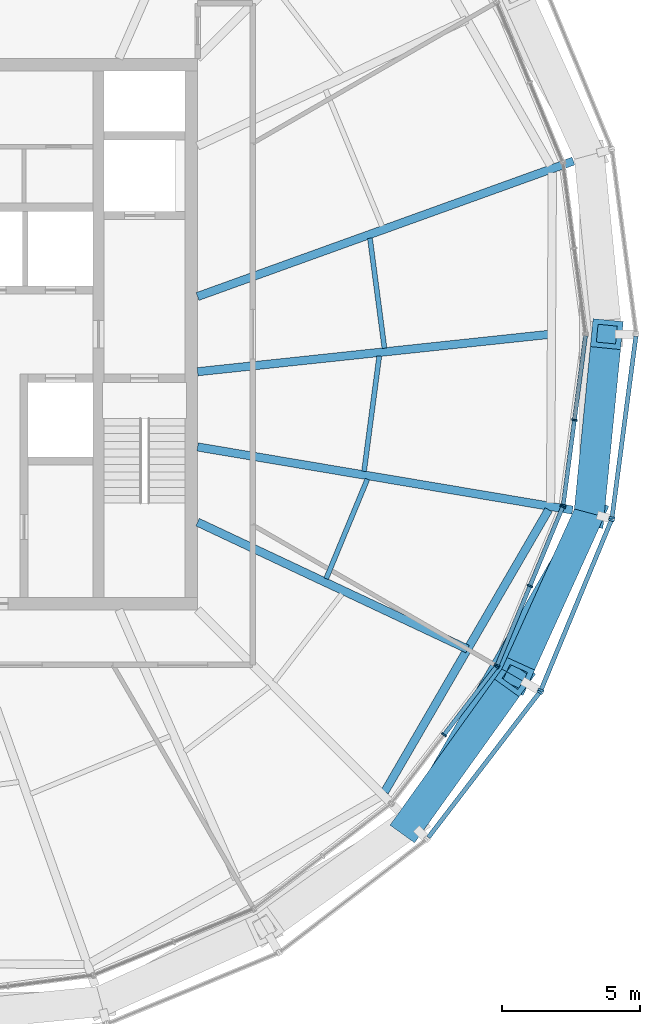
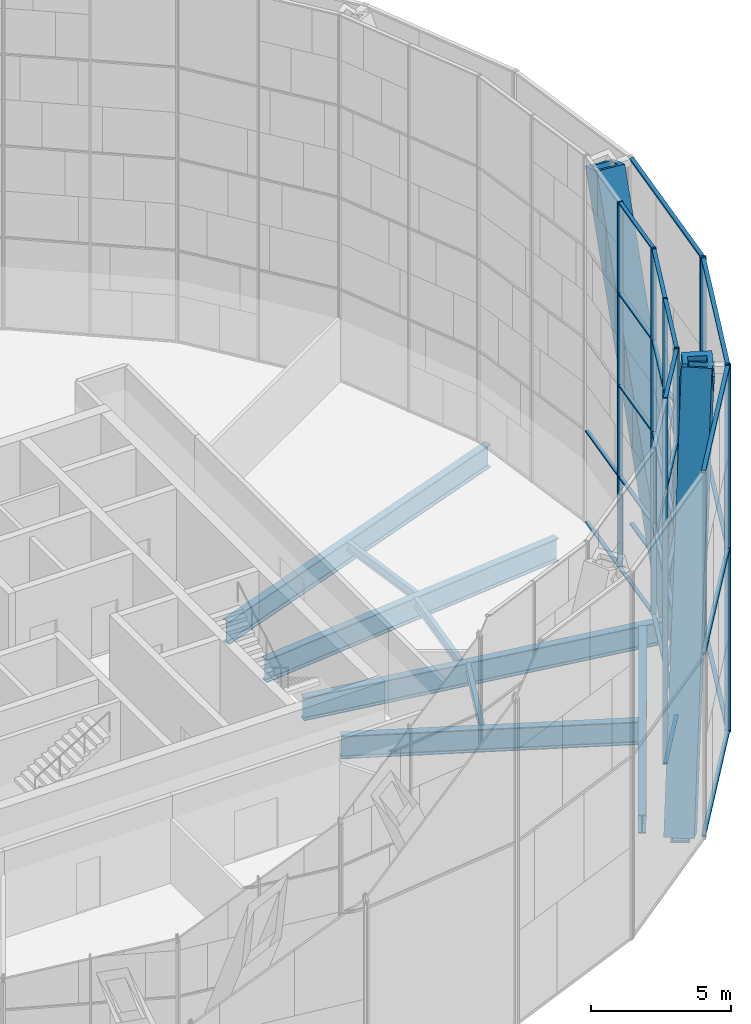
# One storey, part 6 of 30: 45 members, 9 beams, 6 elements without a shape of their own.
"""IFC4 building model written with IfcOpenShell, lengths in metres."""

from ifc_helpers import new_model, si_unit, direction, frame, origin, origin_2d, place, context, subcontext, project, spatial, rectangle, hollow_rectangle, i_section, extrude, material, material_profile, profile_set, type_object, element, aggregate, save


model = new_model("IFC4")

# Units and contexts
model_context = context("Model", 3, precision=1e-05, world=origin(), true_north=direction((0.0, 1.0)))
body_context = subcontext(model_context, "Body", "Model", "MODEL_VIEW")
ifc_project = project(units=[si_unit("LENGTHUNIT", "METRE"), si_unit("AREAUNIT", "SQUARE_METRE"), si_unit("VOLUMEUNIT", "CUBIC_METRE"), si_unit("PLANEANGLEUNIT", "RADIAN"), si_unit("MASSUNIT", "GRAM", prefix="KILO")], contexts=[model_context])

# Site, building, storey
site_placement = place(None, origin())
site = spatial("IfcSite", under=ifc_project, at=site_placement, CompositionType="ELEMENT")
building_placement = place(site_placement, origin())
building = spatial("IfcBuilding", under=site, at=building_placement, Name="Golbaran Civic Tower", CompositionType="ELEMENT")
storey_placement = place(building_placement, frame((0.0, 0.0, 167.0)))
storey = spatial("IfcBuildingStorey", under=building, at=storey_placement, Name="L40", CompositionType="ELEMENT", Elevation=167.0)

# Members
ifc_material_1 = material(Name="Steel S355", Category="steel")
ifc_material_profile_1 = material_profile(ifc_material_1, hollow_rectangle(XDim=1.10009765625, YDim=1.10009765625, WallThickness=0.199951171875, at=origin_2d()), Name="BOX 1100x1100x200")
ifc_profile_set_1 = profile_set([ifc_material_profile_1], Name="Steel S355")
member_type_1 = type_object("IfcMemberType", Name="DIAGRID DIAGONAL BOX 1100x1100x200", PredefinedType="BRACE", material=ifc_profile_set_1)
member_1_placement = place(storey_placement, frame((17.72216796875, -17.72216796875, -0.7099609375), z_axis=(0.21971220084, 0.306689856884, 0.926103601379), x_axis=(-0.812920273386, 0.582374990121, 0.0)))
element("IfcMember", 1, at=member_1_placement, inside=storey, type_object=member_type_1, Name="Diagonal D09-10R L40-L44", PredefinedType="BRACE", context=body_context, shape_type="SweptSolid", body=[
    extrude(hollow_rectangle(XDim=1.10009765625, YDim=1.10009765625, WallThickness=0.199951171875, at=origin_2d()), origin(), (0.0, 0.0, 1.0), 17.276611328125),
])
for number, where, z_axis, x_axis, name in (
    (2, (24.208984375, -6.48681640625, -0.7099609375), (0.036924758011, 0.375465296726, 0.92610062801), (-0.995199025812, 0.097871849998, 0.0), "Diagonal D09-11R L40-L44"),
    (3, (24.208984375, -6.48681640625, -0.7099609375), (-0.155753672162, -0.343627476497, 0.926099860169), (0.910805936997, -0.412834767347, 0.0), "Diagonal D09-11L L40-L44"),
):
    element("IfcMember", number, at=place(storey_placement, frame(where, z_axis=z_axis, x_axis=x_axis)), inside=storey, type_object=member_type_1, Name=name, PredefinedType="BRACE", context=body_context, shape_type="SweptSolid", body=[
        extrude(hollow_rectangle(XDim=1.10009765625, YDim=1.10009765625, WallThickness=0.199951171875, at=origin_2d()), origin(), (0.0, 0.0, 1.0), 17.27685546875),
    ])

# Beams
ifc_material_profile_2 = material_profile(ifc_material_1, hollow_rectangle(XDim=0.699951171875, YDim=0.699951171875, WallThickness=0.080078125, at=origin_2d()), Name="BOX 700x700x80")
ifc_profile_set_2 = profile_set([ifc_material_profile_2], Name="Steel S355")
beam_type_1 = type_object("IfcBeamType", Name="DIAGRID RING TIE BOX 700x700x80", PredefinedType="BEAM", material=ifc_profile_set_2)
beam_1_placement = place(storey_placement, frame((17.72216796875, -17.72216796875, -0.7099609375), z_axis=(0.50000480732, 0.866022628259, 0.0), x_axis=(-0.866022628259, 0.50000480732, 0.0)))
element("IfcBeam", 4, at=beam_1_placement, inside=storey, type_object=beam_type_1, Name="Ring tie 315.00 L40", PredefinedType="BEAM", context=body_context, shape_type="SweptSolid", body=[
    extrude(hollow_rectangle(XDim=0.699951171875, YDim=0.699951171875, WallThickness=0.080078125, at=origin_2d()), origin(), (0.0, 0.0, 1.0), 12.973388671875),
])
ifc_material_profile_3 = material_profile(ifc_material_1, i_section(OverallWidth=0.300048828125, OverallDepth=0.800048828125, WebThickness=0.017578125, FlangeThickness=0.032958984375, FilletRadius=0.030029296875, at=origin_2d()), Name="HEB 800")
ifc_profile_set_3 = profile_set([ifc_material_profile_3], Name="Steel S355")
beam_type_2 = type_object("IfcBeamType", Name="EDGE BEAM HEB 800", PredefinedType="BEAM", material=ifc_profile_set_3)
beam_2_placement = place(storey_placement, frame((16.78857421875, -16.604736328125, -0.60009765625), z_axis=(0.502449452152, 0.864606585698, 0.0), x_axis=(-0.864606585698, 0.502449452152, 0.0)))
element("IfcBeam", 5, at=beam_2_placement, inside=storey, type_object=beam_type_2, Name="Edge beam 315.00 L40", PredefinedType="BEAM", context=body_context, shape_type="SweptSolid", body=[
    extrude(i_section(OverallWidth=0.300048828125, OverallDepth=0.800048828125, WebThickness=0.017578125, FlangeThickness=0.032958984375, FilletRadius=0.030029296875, at=origin_2d()), origin(), (0.0, 0.0, 1.0), 11.8369140625),
])
ifc_material_profile_4 = material_profile(ifc_material_1, i_section(OverallWidth=0.179931640625, OverallDepth=0.39990234375, WebThickness=0.008544921875, FlangeThickness=0.013427734375, FilletRadius=0.02099609375, at=origin_2d()), Name="IPE 400")
ifc_profile_set_4 = profile_set([ifc_material_profile_4], Name="Steel S355")
beam_type_3 = type_object("IfcBeamType", Name="FLOOR INFILL BEAM IPE 400", PredefinedType="BEAM", material=ifc_profile_set_4)
beam_3_placement = place(storey_placement, frame((16.7802734375, -0.51318359375, -0.39990234375), z_axis=(-0.130536029441, 0.991443566229, 0.0), x_axis=(-0.991443566229, -0.130536029441, 0.0)))
element("IfcBeam", 6, at=beam_3_placement, inside=storey, type_object=beam_type_3, Name="Infill beam 7.50 L40", PredefinedType="BEAM", context=body_context, shape_type="SweptSolid", body=[
    extrude(i_section(OverallWidth=0.179931640625, OverallDepth=0.39990234375, WebThickness=0.008544921875, FlangeThickness=0.013427734375, FilletRadius=0.02099609375, at=origin_2d()), origin(), (0.0, 0.0, 1.0), 4.028564453125),
])
beam_4_placement = place(storey_placement, frame((14.665283203125, -8.872314453125, -0.39990234375), z_axis=(0.382675564136, 0.923882791599, 0.0), x_axis=(-0.923882791599, 0.382675564136, 0.0)))
element("IfcBeam", 7, at=beam_4_placement, inside=storey, type_object=beam_type_3, Name="Infill beam 337.50 L40", PredefinedType="BEAM", context=body_context, shape_type="SweptSolid", body=[
    extrude(i_section(OverallWidth=0.179931640625, OverallDepth=0.39990234375, WebThickness=0.008544921875, FlangeThickness=0.013427734375, FilletRadius=0.02099609375, at=origin_2d()), origin(), (0.0, 0.0, 1.0), 3.906982421875),
])
beam_5_placement = place(storey_placement, frame((16.040771484375, -4.978759765625, -0.39990234375), z_axis=(0.130511378619, 0.991446811509, 0.0), x_axis=(-0.991446811509, 0.130511378619, 0.0)))
element("IfcBeam", 8, at=beam_5_placement, inside=storey, type_object=beam_type_3, Name="Infill beam 352.50 L40", PredefinedType="BEAM", context=body_context, shape_type="SweptSolid", body=[
    extrude(i_section(OverallWidth=0.179931640625, OverallDepth=0.39990234375, WebThickness=0.008544921875, FlangeThickness=0.013427734375, FilletRadius=0.02099609375, at=origin_2d()), origin(), (0.0, 0.0, 1.0), 4.22021484375),
])

# Curtain wall, members
ifc_material_2 = material(Name="Aluminium and glass", Category="aluminium")
curtain_wall_type_1 = type_object("IfcCurtainWallType", Name="INNER SKIN CURTAIN WALL EXECUTIVE", PredefinedType="NOTDEFINED", material=ifc_material_2)
curtain_wall_1_placement = place(storey_placement, origin())
curtain_wall_1 = element("IfcCurtainWall", 9, at=curtain_wall_1_placement, inside=storey, type_object=curtain_wall_type_1, Name="Inner skin L40 facet 22 CW2", ObjectType="INNER SKIN", PredefinedType="USERDEFINED")
ifc_material_3 = material(Name="Aluminium", Category="aluminium")
ifc_material_profile_5 = material_profile(ifc_material_3, rectangle(XDim=0.199951171875, YDim=0.06005859375, at=origin_2d()), Name="INNER SKIN CURTAIN WALL EXECUTIVE MULLION")
ifc_profile_set_5 = profile_set([ifc_material_profile_5], Name="Aluminium")
member_type_2 = type_object("IfcMemberType", Name="INNER SKIN CURTAIN WALL EXECUTIVE MULLION", PredefinedType="MULLION", material=ifc_profile_set_5)
member_2_placement = place(storey_placement, frame((18.94287109375, -14.535400390625, 0.0), z_axis=(0.0, 0.0, 1.0), x_axis=(-0.79335334027, 0.608761429036, 0.0)))
member_2 = element("IfcMember", 10, at=member_2_placement, type_object=member_type_2, Name="CW2 mullion 2", PredefinedType="MULLION", context=body_context, shape_type="SweptSolid", body=[
    extrude(rectangle(XDim=0.199951171875, YDim=0.06005859375, at=origin_2d()), origin(), (0.0, 0.0, 1.0), 16.0),
])
member_3_placement = place(storey_placement, frame((20.838134765625, -12.065185546875, 0.0), z_axis=(0.0, 0.0, 1.0), x_axis=(-0.79335334027, 0.608761429036, 0.0)))
member_3 = element("IfcMember", 11, at=member_3_placement, type_object=member_type_2, Name="CW2 mullion 3", PredefinedType="MULLION", context=body_context, shape_type="SweptSolid", body=[
    extrude(rectangle(XDim=0.199951171875, YDim=0.06005859375, at=origin_2d()), origin(), (0.0, 0.0, 1.0), 16.0),
])

curtain_wall_2_placement = place(storey_placement, origin())
curtain_wall_2 = element("IfcCurtainWall", 12, at=curtain_wall_2_placement, inside=storey, type_object=curtain_wall_type_1, Name="Inner skin L40 facet 23 CW2", ObjectType="INNER SKIN", PredefinedType="USERDEFINED")
member_4_placement = place(storey_placement, frame((20.867919921875, -12.013671875, 0.0), z_axis=(0.0, 0.0, 1.0), x_axis=(-0.923879532471, 0.382683432462, 0.0)))
member_4 = element("IfcMember", 13, at=member_4_placement, type_object=member_type_2, Name="CW2 mullion 1", PredefinedType="MULLION", context=body_context, shape_type="SweptSolid", body=[
    extrude(rectangle(XDim=0.199951171875, YDim=0.06005859375, at=origin_2d()), origin(), (0.0, 0.0, 1.0), 16.0),
])
member_5_placement = place(storey_placement, frame((22.059326171875, -9.13720703125, 0.0), z_axis=(0.0, 0.0, 1.0), x_axis=(-0.923879532471, 0.382683432462, 0.0)))
member_5 = element("IfcMember", 14, at=member_5_placement, type_object=member_type_2, Name="CW2 mullion 2", PredefinedType="MULLION", context=body_context, shape_type="SweptSolid", body=[
    extrude(rectangle(XDim=0.199951171875, YDim=0.06005859375, at=origin_2d()), origin(), (0.0, 0.0, 1.0), 16.0),
])
member_6_placement = place(storey_placement, frame((23.2509765625, -6.2607421875, 0.0), z_axis=(0.0, 0.0, 1.0), x_axis=(-0.923879532471, 0.382683432462, 0.0)))
member_6 = element("IfcMember", 15, at=member_6_placement, type_object=member_type_2, Name="CW2 mullion 3", PredefinedType="MULLION", context=body_context, shape_type="SweptSolid", body=[
    extrude(rectangle(XDim=0.199951171875, YDim=0.06005859375, at=origin_2d()), origin(), (0.0, 0.0, 1.0), 16.0),
])

curtain_wall_3_placement = place(storey_placement, origin())
curtain_wall_3 = element("IfcCurtainWall", 16, at=curtain_wall_3_placement, inside=storey, type_object=curtain_wall_type_1, Name="Inner skin L40 facet 24 CW2", ObjectType="INNER SKIN", PredefinedType="USERDEFINED")
member_7_placement = place(storey_placement, frame((23.266357421875, -6.203369140625, 0.0), z_axis=(0.0, 0.0, 1.0), x_axis=(-0.991444861383, 0.130526192151, 0.0)))
member_7 = element("IfcMember", 17, at=member_7_placement, type_object=member_type_2, Name="CW2 mullion 1", PredefinedType="MULLION", context=body_context, shape_type="SweptSolid", body=[
    extrude(rectangle(XDim=0.199951171875, YDim=0.06005859375, at=origin_2d()), origin(), (0.0, 0.0, 1.0), 16.0),
])
member_8_placement = place(storey_placement, frame((23.672607421875, -3.116455078125, 0.0), z_axis=(0.0, 0.0, 1.0), x_axis=(-0.991444861383, 0.130526192151, 0.0)))
member_8 = element("IfcMember", 18, at=member_8_placement, type_object=member_type_2, Name="CW2 mullion 2", PredefinedType="MULLION", context=body_context, shape_type="SweptSolid", body=[
    extrude(rectangle(XDim=0.199951171875, YDim=0.06005859375, at=origin_2d()), origin(), (0.0, 0.0, 1.0), 16.0),
])

# Member
ifc_material_profile_6 = material_profile(ifc_material_3, rectangle(XDim=0.14990234375, YDim=0.06005859375, at=origin_2d()), Name="INNER SKIN CURTAIN WALL EXECUTIVE TRANSOM")
ifc_profile_set_6 = profile_set([ifc_material_profile_6], Name="Aluminium")
member_type_3 = type_object("IfcMemberType", Name="INNER SKIN CURTAIN WALL EXECUTIVE TRANSOM", PredefinedType="USERDEFINED", material=ifc_profile_set_6)
member_9_placement = place(storey_placement, frame((18.961181640625, -14.511474609375, 0.030029296875), z_axis=(0.6087906992, 0.793330879625, 0.0), x_axis=(-0.793330879625, 0.6087906992, 0.0)))
member_9 = element("IfcMember", 19, at=member_9_placement, type_object=member_type_3, Name="CW2 transom 2.1", ObjectType="TRANSOM", PredefinedType="USERDEFINED", context=body_context, shape_type="SweptSolid", body=[
    extrude(rectangle(XDim=0.14990234375, YDim=0.06005859375, at=origin_2d()), origin(), (0.0, 0.0, 1.0), 3.053466796875),
])

member_10_placement = place(storey_placement, frame((18.961181640625, -14.511474609375, 4.0), z_axis=(0.6087906992, 0.793330879625, 0.0), x_axis=(-0.793330879625, 0.6087906992, 0.0)))
member_10 = element("IfcMember", 20, at=member_10_placement, type_object=member_type_3, Name="CW2 transom 2.2", ObjectType="TRANSOM", PredefinedType="USERDEFINED", context=body_context, shape_type="SweptSolid", body=[
    extrude(rectangle(XDim=0.14990234375, YDim=0.06005859375, at=origin_2d()), origin(), (0.0, 0.0, 1.0), 3.053466796875),
])

member_11_placement = place(storey_placement, frame((18.961181640625, -14.511474609375, 8.0), z_axis=(0.6087906992, 0.793330879625, 0.0), x_axis=(-0.793330879625, 0.6087906992, 0.0)))
member_11 = element("IfcMember", 21, at=member_11_placement, type_object=member_type_3, Name="CW2 transom 2.3", ObjectType="TRANSOM", PredefinedType="USERDEFINED", context=body_context, shape_type="SweptSolid", body=[
    extrude(rectangle(XDim=0.14990234375, YDim=0.06005859375, at=origin_2d()), origin(), (0.0, 0.0, 1.0), 3.053466796875),
])

member_12_placement = place(storey_placement, frame((18.961181640625, -14.511474609375, 12.0), z_axis=(0.6087906992, 0.793330879625, 0.0), x_axis=(-0.793330879625, 0.6087906992, 0.0)))
member_12 = element("IfcMember", 22, at=member_12_placement, type_object=member_type_3, Name="CW2 transom 2.4", ObjectType="TRANSOM", PredefinedType="USERDEFINED", context=body_context, shape_type="SweptSolid", body=[
    extrude(rectangle(XDim=0.14990234375, YDim=0.06005859375, at=origin_2d()), origin(), (0.0, 0.0, 1.0), 3.053466796875),
])

member_13_placement = place(storey_placement, frame((18.961181640625, -14.511474609375, 15.969970703125), z_axis=(0.6087906992, 0.793330879625, 0.0), x_axis=(-0.793330879625, 0.6087906992, 0.0)))
member_13 = element("IfcMember", 23, at=member_13_placement, type_object=member_type_3, Name="CW2 transom 2.5", ObjectType="TRANSOM", PredefinedType="USERDEFINED", context=body_context, shape_type="SweptSolid", body=[
    extrude(rectangle(XDim=0.14990234375, YDim=0.06005859375, at=origin_2d()), origin(), (0.0, 0.0, 1.0), 3.053466796875),
])

aggregate(curtain_wall_1, [member_2, member_3, member_9, member_10, member_11, member_12, member_13])

member_14_placement = place(storey_placement, frame((20.87939453125, -11.986083984375, 0.030029296875), z_axis=(0.382667209253, 0.923886252177, 0.0), x_axis=(-0.923886252177, 0.382667209253, 0.0)))
member_14 = element("IfcMember", 24, at=member_14_placement, type_object=member_type_3, Name="CW2 transom 1.1", ObjectType="TRANSOM", PredefinedType="USERDEFINED", context=body_context, shape_type="SweptSolid", body=[
    extrude(rectangle(XDim=0.14990234375, YDim=0.06005859375, at=origin_2d()), origin(), (0.0, 0.0, 1.0), 3.053466796875),
])

member_15_placement = place(storey_placement, frame((20.87939453125, -11.986083984375, 4.0), z_axis=(0.382667209253, 0.923886252177, 0.0), x_axis=(-0.923886252177, 0.382667209253, 0.0)))
member_15 = element("IfcMember", 25, at=member_15_placement, type_object=member_type_3, Name="CW2 transom 1.2", ObjectType="TRANSOM", PredefinedType="USERDEFINED", context=body_context, shape_type="SweptSolid", body=[
    extrude(rectangle(XDim=0.14990234375, YDim=0.06005859375, at=origin_2d()), origin(), (0.0, 0.0, 1.0), 3.053466796875),
])

member_16_placement = place(storey_placement, frame((20.87939453125, -11.986083984375, 8.0), z_axis=(0.382667209253, 0.923886252177, 0.0), x_axis=(-0.923886252177, 0.382667209253, 0.0)))
member_16 = element("IfcMember", 26, at=member_16_placement, type_object=member_type_3, Name="CW2 transom 1.3", ObjectType="TRANSOM", PredefinedType="USERDEFINED", context=body_context, shape_type="SweptSolid", body=[
    extrude(rectangle(XDim=0.14990234375, YDim=0.06005859375, at=origin_2d()), origin(), (0.0, 0.0, 1.0), 3.053466796875),
])

member_17_placement = place(storey_placement, frame((20.87939453125, -11.986083984375, 12.0), z_axis=(0.382667209253, 0.923886252177, 0.0), x_axis=(-0.923886252177, 0.382667209253, 0.0)))
member_17 = element("IfcMember", 27, at=member_17_placement, type_object=member_type_3, Name="CW2 transom 1.4", ObjectType="TRANSOM", PredefinedType="USERDEFINED", context=body_context, shape_type="SweptSolid", body=[
    extrude(rectangle(XDim=0.14990234375, YDim=0.06005859375, at=origin_2d()), origin(), (0.0, 0.0, 1.0), 3.053466796875),
])

member_18_placement = place(storey_placement, frame((20.87939453125, -11.986083984375, 15.969970703125), z_axis=(0.382667209253, 0.923886252177, 0.0), x_axis=(-0.923886252177, 0.382667209253, 0.0)))
member_18 = element("IfcMember", 28, at=member_18_placement, type_object=member_type_3, Name="CW2 transom 1.5", ObjectType="TRANSOM", PredefinedType="USERDEFINED", context=body_context, shape_type="SweptSolid", body=[
    extrude(rectangle(XDim=0.14990234375, YDim=0.06005859375, at=origin_2d()), origin(), (0.0, 0.0, 1.0), 3.053466796875),
])

member_19_placement = place(storey_placement, frame((22.07080078125, -9.109619140625, 0.030029296875), z_axis=(0.382735453435, 0.923857982963, 0.0), x_axis=(-0.923857982963, 0.382735453435, 0.0)))
member_19 = element("IfcMember", 29, at=member_19_placement, type_object=member_type_3, Name="CW2 transom 2.1", ObjectType="TRANSOM", PredefinedType="USERDEFINED", context=body_context, shape_type="SweptSolid", body=[
    extrude(rectangle(XDim=0.14990234375, YDim=0.06005859375, at=origin_2d()), origin(), (0.0, 0.0, 1.0), 3.053466796875),
])

member_20_placement = place(storey_placement, frame((22.07080078125, -9.109619140625, 4.0), z_axis=(0.382735453435, 0.923857982963, 0.0), x_axis=(-0.923857982963, 0.382735453435, 0.0)))
member_20 = element("IfcMember", 30, at=member_20_placement, type_object=member_type_3, Name="CW2 transom 2.2", ObjectType="TRANSOM", PredefinedType="USERDEFINED", context=body_context, shape_type="SweptSolid", body=[
    extrude(rectangle(XDim=0.14990234375, YDim=0.06005859375, at=origin_2d()), origin(), (0.0, 0.0, 1.0), 3.053466796875),
])

member_21_placement = place(storey_placement, frame((22.07080078125, -9.109619140625, 8.0), z_axis=(0.382735453435, 0.923857982963, 0.0), x_axis=(-0.923857982963, 0.382735453435, 0.0)))
member_21 = element("IfcMember", 31, at=member_21_placement, type_object=member_type_3, Name="CW2 transom 2.3", ObjectType="TRANSOM", PredefinedType="USERDEFINED", context=body_context, shape_type="SweptSolid", body=[
    extrude(rectangle(XDim=0.14990234375, YDim=0.06005859375, at=origin_2d()), origin(), (0.0, 0.0, 1.0), 3.053466796875),
])

member_22_placement = place(storey_placement, frame((22.07080078125, -9.109619140625, 12.0), z_axis=(0.382735453435, 0.923857982963, 0.0), x_axis=(-0.923857982963, 0.382735453435, 0.0)))
member_22 = element("IfcMember", 32, at=member_22_placement, type_object=member_type_3, Name="CW2 transom 2.4", ObjectType="TRANSOM", PredefinedType="USERDEFINED", context=body_context, shape_type="SweptSolid", body=[
    extrude(rectangle(XDim=0.14990234375, YDim=0.06005859375, at=origin_2d()), origin(), (0.0, 0.0, 1.0), 3.053466796875),
])

member_23_placement = place(storey_placement, frame((22.07080078125, -9.109619140625, 15.969970703125), z_axis=(0.382735453435, 0.923857982963, 0.0), x_axis=(-0.923857982963, 0.382735453435, 0.0)))
member_23 = element("IfcMember", 33, at=member_23_placement, type_object=member_type_3, Name="CW2 transom 2.5", ObjectType="TRANSOM", PredefinedType="USERDEFINED", context=body_context, shape_type="SweptSolid", body=[
    extrude(rectangle(XDim=0.14990234375, YDim=0.06005859375, at=origin_2d()), origin(), (0.0, 0.0, 1.0), 3.053466796875),
])

aggregate(curtain_wall_2, [member_4, member_5, member_6, member_14, member_15, member_16, member_17, member_18, member_19, member_20, member_21, member_22, member_23])

member_24_placement = place(storey_placement, frame((23.270263671875, -6.173583984375, 0.030029296875), z_axis=(0.130487605099, 0.991449940701, 0.0), x_axis=(-0.991449940701, 0.130487605099, 0.0)))
member_24 = element("IfcMember", 34, at=member_24_placement, type_object=member_type_3, Name="CW2 transom 1.1", ObjectType="TRANSOM", PredefinedType="USERDEFINED", context=body_context, shape_type="SweptSolid", body=[
    extrude(rectangle(XDim=0.14990234375, YDim=0.06005859375, at=origin_2d()), origin(), (0.0, 0.0, 1.0), 3.053466796875),
])

member_25_placement = place(storey_placement, frame((23.270263671875, -6.173583984375, 4.0), z_axis=(0.130487605099, 0.991449940701, 0.0), x_axis=(-0.991449940701, 0.130487605099, 0.0)))
member_25 = element("IfcMember", 35, at=member_25_placement, type_object=member_type_3, Name="CW2 transom 1.2", ObjectType="TRANSOM", PredefinedType="USERDEFINED", context=body_context, shape_type="SweptSolid", body=[
    extrude(rectangle(XDim=0.14990234375, YDim=0.06005859375, at=origin_2d()), origin(), (0.0, 0.0, 1.0), 3.053466796875),
])

member_26_placement = place(storey_placement, frame((23.270263671875, -6.173583984375, 8.0), z_axis=(0.130487605099, 0.991449940701, 0.0), x_axis=(-0.991449940701, 0.130487605099, 0.0)))
member_26 = element("IfcMember", 36, at=member_26_placement, type_object=member_type_3, Name="CW2 transom 1.3", ObjectType="TRANSOM", PredefinedType="USERDEFINED", context=body_context, shape_type="SweptSolid", body=[
    extrude(rectangle(XDim=0.14990234375, YDim=0.06005859375, at=origin_2d()), origin(), (0.0, 0.0, 1.0), 3.053466796875),
])

member_27_placement = place(storey_placement, frame((23.270263671875, -6.173583984375, 12.0), z_axis=(0.130487605099, 0.991449940701, 0.0), x_axis=(-0.991449940701, 0.130487605099, 0.0)))
member_27 = element("IfcMember", 37, at=member_27_placement, type_object=member_type_3, Name="CW2 transom 1.4", ObjectType="TRANSOM", PredefinedType="USERDEFINED", context=body_context, shape_type="SweptSolid", body=[
    extrude(rectangle(XDim=0.14990234375, YDim=0.06005859375, at=origin_2d()), origin(), (0.0, 0.0, 1.0), 3.053466796875),
])

member_28_placement = place(storey_placement, frame((23.270263671875, -6.173583984375, 15.969970703125), z_axis=(0.130487605099, 0.991449940701, 0.0), x_axis=(-0.991449940701, 0.130487605099, 0.0)))
member_28 = element("IfcMember", 38, at=member_28_placement, type_object=member_type_3, Name="CW2 transom 1.5", ObjectType="TRANSOM", PredefinedType="USERDEFINED", context=body_context, shape_type="SweptSolid", body=[
    extrude(rectangle(XDim=0.14990234375, YDim=0.06005859375, at=origin_2d()), origin(), (0.0, 0.0, 1.0), 3.053466796875),
])

member_29_placement = place(storey_placement, frame((23.676513671875, -3.0869140625, 0.030029296875), z_axis=(0.130566198103, 0.991439593678, 0.0), x_axis=(-0.991439593678, 0.130566198103, 0.0)))
member_29 = element("IfcMember", 39, at=member_29_placement, type_object=member_type_3, Name="CW2 transom 2.1", ObjectType="TRANSOM", PredefinedType="USERDEFINED", context=body_context, shape_type="SweptSolid", body=[
    extrude(rectangle(XDim=0.14990234375, YDim=0.06005859375, at=origin_2d()), origin(), (0.0, 0.0, 1.0), 3.053466796875),
])

member_30_placement = place(storey_placement, frame((23.676513671875, -3.0869140625, 4.0), z_axis=(0.130566198103, 0.991439593678, 0.0), x_axis=(-0.991439593678, 0.130566198103, 0.0)))
member_30 = element("IfcMember", 40, at=member_30_placement, type_object=member_type_3, Name="CW2 transom 2.2", ObjectType="TRANSOM", PredefinedType="USERDEFINED", context=body_context, shape_type="SweptSolid", body=[
    extrude(rectangle(XDim=0.14990234375, YDim=0.06005859375, at=origin_2d()), origin(), (0.0, 0.0, 1.0), 3.053466796875),
])

aggregate(curtain_wall_3, [member_7, member_8, member_24, member_25, member_26, member_27, member_28, member_29, member_30])

# Curtain wall, member
curtain_wall_type_2 = type_object("IfcCurtainWallType", Name="OUTER SKIN TERRACOTTA SCREEN", PredefinedType="NOTDEFINED", material=ifc_material_2)
curtain_wall_4_placement = place(storey_placement, origin())
curtain_wall_4 = element("IfcCurtainWall", 41, at=curtain_wall_4_placement, inside=storey, type_object=curtain_wall_type_2, Name="Outer skin L40 facet 22 CW3", ObjectType="OUTER SKIN", PredefinedType="USERDEFINED")
ifc_material_profile_7 = material_profile(ifc_material_3, rectangle(XDim=0.219970703125, YDim=0.080078125, at=origin_2d()), Name="OUTER SKIN TERRACOTTA SCREEN MULLION")
ifc_profile_set_7 = profile_set([ifc_material_profile_7], Name="Aluminium")
member_type_4 = type_object("IfcMemberType", Name="OUTER SKIN TERRACOTTA SCREEN MULLION", PredefinedType="MULLION", material=ifc_profile_set_7)
member_31_placement = place(storey_placement, frame((22.4169921875, -12.98828125, -0.7099609375), z_axis=(0.0, 0.0, 1.0), x_axis=(-0.793353340323, 0.608761428967, 0.0)))
member_31 = element("IfcMember", 42, at=member_31_placement, type_object=member_type_4, Name="CW3 mullion 2", PredefinedType="MULLION", context=body_context, shape_type="SweptSolid", body=[
    extrude(rectangle(XDim=0.219970703125, YDim=0.080078125, at=origin_2d()), origin(), (0.0, 0.0, 1.0), 16.0),
])

# Curtain wall, members
curtain_wall_5_placement = place(storey_placement, origin())
curtain_wall_5 = element("IfcCurtainWall", 43, at=curtain_wall_5_placement, inside=storey, type_object=curtain_wall_type_2, Name="Outer skin L40 facet 23 CW3", ObjectType="OUTER SKIN", PredefinedType="USERDEFINED")
member_32_placement = place(storey_placement, frame((22.45654296875, -12.91943359375, -0.7099609375), z_axis=(0.0, 0.0, 1.0), x_axis=(-0.923879532471, 0.382683432462, 0.0)))
member_32 = element("IfcMember", 44, at=member_32_placement, type_object=member_type_4, Name="CW3 mullion 1", PredefinedType="MULLION", context=body_context, shape_type="SweptSolid", body=[
    extrude(rectangle(XDim=0.219970703125, YDim=0.080078125, at=origin_2d()), origin(), (0.0, 0.0, 1.0), 16.0),
])
member_33_placement = place(storey_placement, frame((25.0146484375, -6.74365234375, -0.7099609375), z_axis=(0.0, 0.0, 1.0), x_axis=(-0.923879532471, 0.382683432462, 0.0)))
member_33 = element("IfcMember", 45, at=member_33_placement, type_object=member_type_4, Name="CW3 mullion 2", PredefinedType="MULLION", context=body_context, shape_type="SweptSolid", body=[
    extrude(rectangle(XDim=0.219970703125, YDim=0.080078125, at=origin_2d()), origin(), (0.0, 0.0, 1.0), 16.0),
])

# Curtain wall, member
curtain_wall_6_placement = place(storey_placement, origin())
curtain_wall_6 = element("IfcCurtainWall", 46, at=curtain_wall_6_placement, inside=storey, type_object=curtain_wall_type_2, Name="Outer skin L40 facet 24 CW3", ObjectType="OUTER SKIN", PredefinedType="USERDEFINED")
member_34_placement = place(storey_placement, frame((25.03515625, -6.667236328125, -0.7099609375), z_axis=(0.0, 0.0, 1.0), x_axis=(-0.991444861381, 0.130526192168, 0.0)))
member_34 = element("IfcMember", 47, at=member_34_placement, type_object=member_type_4, Name="CW3 mullion 1", PredefinedType="MULLION", context=body_context, shape_type="SweptSolid", body=[
    extrude(rectangle(XDim=0.219970703125, YDim=0.080078125, at=origin_2d()), origin(), (0.0, 0.0, 1.0), 16.0),
])

# Member
ifc_material_profile_8 = material_profile(ifc_material_3, rectangle(XDim=0.159912109375, YDim=0.080078125, at=origin_2d()), Name="OUTER SKIN TERRACOTTA SCREEN TRANSOM")
ifc_profile_set_8 = profile_set([ifc_material_profile_8], Name="Aluminium")
member_type_5 = type_object("IfcMemberType", Name="OUTER SKIN TERRACOTTA SCREEN TRANSOM", PredefinedType="USERDEFINED", material=ifc_profile_set_8)
member_35_placement = place(storey_placement, frame((18.3720703125, -18.259765625, -0.669921875), z_axis=(0.608752778069, 0.793359978316, 0.0), x_axis=(-0.793359978316, 0.608752778069, 0.0)))
member_35 = element("IfcMember", 48, at=member_35_placement, type_object=member_type_5, Name="CW3 transom 1.1", ObjectType="TRANSOM", PredefinedType="USERDEFINED", context=body_context, shape_type="SweptSolid", body=[
    extrude(rectangle(XDim=0.159912109375, YDim=0.080078125, at=origin_2d()), origin(), (0.0, 0.0, 1.0), 6.6044921875),
])

member_36_placement = place(storey_placement, frame((18.3720703125, -18.259765625, 7.2900390625), z_axis=(0.608752778069, 0.793359978316, 0.0), x_axis=(-0.793359978316, 0.608752778069, 0.0)))
member_36 = element("IfcMember", 49, at=member_36_placement, type_object=member_type_5, Name="CW3 transom 1.2", ObjectType="TRANSOM", PredefinedType="USERDEFINED", context=body_context, shape_type="SweptSolid", body=[
    extrude(rectangle(XDim=0.159912109375, YDim=0.080078125, at=origin_2d()), origin(), (0.0, 0.0, 1.0), 6.6044921875),
])

member_37_placement = place(storey_placement, frame((18.3720703125, -18.259765625, 15.25), z_axis=(0.608752778069, 0.793359978316, 0.0), x_axis=(-0.793359978316, 0.608752778069, 0.0)))
member_37 = element("IfcMember", 50, at=member_37_placement, type_object=member_type_5, Name="CW3 transom 1.3", ObjectType="TRANSOM", PredefinedType="USERDEFINED", context=body_context, shape_type="SweptSolid", body=[
    extrude(rectangle(XDim=0.159912109375, YDim=0.080078125, at=origin_2d()), origin(), (0.0, 0.0, 1.0), 6.6044921875),
])

aggregate(curtain_wall_4, [member_31, member_35, member_36, member_37])

member_38_placement = place(storey_placement, frame((22.471923828125, -12.882568359375, -0.669921875), z_axis=(0.38270111505, 0.923872207905, 0.0), x_axis=(-0.923872207905, 0.38270111505, 0.0)))
member_38 = element("IfcMember", 51, at=member_38_placement, type_object=member_type_5, Name="CW3 transom 1.1", ObjectType="TRANSOM", PredefinedType="USERDEFINED", context=body_context, shape_type="SweptSolid", body=[
    extrude(rectangle(XDim=0.159912109375, YDim=0.080078125, at=origin_2d()), origin(), (0.0, 0.0, 1.0), 6.6044921875),
])

member_39_placement = place(storey_placement, frame((22.471923828125, -12.882568359375, 7.2900390625), z_axis=(0.38270111505, 0.923872207905, 0.0), x_axis=(-0.923872207905, 0.38270111505, 0.0)))
member_39 = element("IfcMember", 52, at=member_39_placement, type_object=member_type_5, Name="CW3 transom 1.2", ObjectType="TRANSOM", PredefinedType="USERDEFINED", context=body_context, shape_type="SweptSolid", body=[
    extrude(rectangle(XDim=0.159912109375, YDim=0.080078125, at=origin_2d()), origin(), (0.0, 0.0, 1.0), 6.6044921875),
])

member_40_placement = place(storey_placement, frame((22.471923828125, -12.882568359375, 15.25), z_axis=(0.38270111505, 0.923872207905, 0.0), x_axis=(-0.923872207905, 0.38270111505, 0.0)))
member_40 = element("IfcMember", 53, at=member_40_placement, type_object=member_type_5, Name="CW3 transom 1.3", ObjectType="TRANSOM", PredefinedType="USERDEFINED", context=body_context, shape_type="SweptSolid", body=[
    extrude(rectangle(XDim=0.159912109375, YDim=0.080078125, at=origin_2d()), origin(), (0.0, 0.0, 1.0), 6.6044921875),
])

aggregate(curtain_wall_5, [member_32, member_33, member_38, member_39, member_40])

member_41_placement = place(storey_placement, frame((25.04052734375, -6.62744140625, -0.669921875), z_axis=(0.130524315936, 0.991445108389, 0.0), x_axis=(-0.991445108389, 0.130524315936, 0.0)))
member_41 = element("IfcMember", 54, at=member_41_placement, type_object=member_type_5, Name="CW3 transom 1.1", ObjectType="TRANSOM", PredefinedType="USERDEFINED", context=body_context, shape_type="SweptSolid", body=[
    extrude(rectangle(XDim=0.159912109375, YDim=0.080078125, at=origin_2d()), origin(), (0.0, 0.0, 1.0), 6.6044921875),
])

member_42_placement = place(storey_placement, frame((25.04052734375, -6.62744140625, 7.2900390625), z_axis=(0.130524315936, 0.991445108389, 0.0), x_axis=(-0.991445108389, 0.130524315936, 0.0)))
member_42 = element("IfcMember", 55, at=member_42_placement, type_object=member_type_5, Name="CW3 transom 1.2", ObjectType="TRANSOM", PredefinedType="USERDEFINED", context=body_context, shape_type="SweptSolid", body=[
    extrude(rectangle(XDim=0.159912109375, YDim=0.080078125, at=origin_2d()), origin(), (0.0, 0.0, 1.0), 6.6044921875),
])

member_43_placement = place(storey_placement, frame((25.04052734375, -6.62744140625, 15.25), z_axis=(0.130524315936, 0.991445108389, 0.0), x_axis=(-0.991445108389, 0.130524315936, 0.0)))
member_43 = element("IfcMember", 56, at=member_43_placement, type_object=member_type_5, Name="CW3 transom 1.3", ObjectType="TRANSOM", PredefinedType="USERDEFINED", context=body_context, shape_type="SweptSolid", body=[
    extrude(rectangle(XDim=0.159912109375, YDim=0.080078125, at=origin_2d()), origin(), (0.0, 0.0, 1.0), 6.6044921875),
])

aggregate(curtain_wall_6, [member_34, member_41, member_42, member_43])

# Beams
ifc_material_profile_9 = material_profile(ifc_material_1, i_section(OverallWidth=0.300048828125, OverallDepth=1.0, WebThickness=0.01904296875, FlangeThickness=0.035888671875, FilletRadius=0.030029296875, at=origin_2d()), Name="HEB 1000")
ifc_profile_set_9 = profile_set([ifc_material_profile_9], Name="Steel S355")
beam_type_4 = type_object("IfcBeamType", Name="RADIAL FLOOR BEAM HEB 1000", PredefinedType="BEAM", material=ifc_profile_set_9)
beam_6_placement = place(storey_placement, frame((10.0, 1.3642578125, -0.7099609375), z_axis=(0.940734636171, 0.339143545286, 0.0), x_axis=(-0.339143545286, 0.940734636171, 0.0)))
element("IfcBeam", 57, at=beam_6_placement, inside=storey, type_object=beam_type_4, Name="Radial beam 15.00 L40", PredefinedType="BEAM", context=body_context, shape_type="SweptSolid", body=[
    extrude(i_section(OverallWidth=0.300048828125, OverallDepth=1.0, WebThickness=0.01904296875, FlangeThickness=0.035888671875, FilletRadius=0.030029296875, at=origin_2d()), origin(), (0.0, 0.0, 1.0), 14.4931640625),
])
beam_7_placement = place(storey_placement, frame((10.0, -4.0927734375, -0.7099609375), z_axis=(0.986102088577, -0.166140515543, 0.0), x_axis=(0.166140515543, 0.986102088577, 0.0)))
element("IfcBeam", 58, at=beam_7_placement, inside=storey, type_object=beam_type_4, Name="Radial beam 345.00 L40", PredefinedType="BEAM", context=body_context, shape_type="SweptSolid", body=[
    extrude(i_section(OverallWidth=0.300048828125, OverallDepth=1.0, WebThickness=0.01904296875, FlangeThickness=0.035888671875, FilletRadius=0.030029296875, at=origin_2d()), origin(), (0.0, 0.0, 1.0), 13.796875),
])
ifc_material_profile_10 = material_profile(ifc_material_1, i_section(OverallWidth=0.300048828125, OverallDepth=1.0, WebThickness=0.01904296875, FlangeThickness=0.035888671875, FilletRadius=0.030029296875, at=origin_2d()), Name="HEB 1000")
ifc_profile_set_10 = profile_set([ifc_material_profile_10], Name="Steel S355")
beam_type_5 = type_object("IfcBeamType", Name="SECONDARY FLOOR BEAM HEB 1000", PredefinedType="BEAM", material=ifc_profile_set_10)
beam_8_placement = place(storey_placement, frame((10.0, -1.3642578125, -0.7099609375), z_axis=(0.994402404911, 0.105659155343, 0.0), x_axis=(-0.105659155343, 0.994402404911, 0.0)))
element("IfcBeam", 59, at=beam_8_placement, inside=storey, type_object=beam_type_5, Name="Secondary beam 0.00 L40", PredefinedType="BEAM", context=body_context, shape_type="SweptSolid", body=[
    extrude(i_section(OverallWidth=0.300048828125, OverallDepth=1.0, WebThickness=0.01904296875, FlangeThickness=0.035888671875, FilletRadius=0.030029296875, at=origin_2d()), origin(), (0.0, 0.0, 1.0), 12.911865234375),
])
beam_9_placement = place(storey_placement, frame((10.0, -6.821533203125, -0.7099609375), z_axis=(0.904891263712, -0.425642809004, 0.0), x_axis=(0.425642809004, 0.904891263712, 0.0)))
element("IfcBeam", 60, at=beam_9_placement, inside=storey, type_object=beam_type_5, Name="Secondary beam 330.00 L40", PredefinedType="BEAM", context=body_context, shape_type="SweptSolid", body=[
    extrude(i_section(OverallWidth=0.300048828125, OverallDepth=1.0, WebThickness=0.01904296875, FlangeThickness=0.035888671875, FilletRadius=0.030029296875, at=origin_2d()), origin(), (0.0, 0.0, 1.0), 10.82568359375),
])

save(model, "model.ifc")
